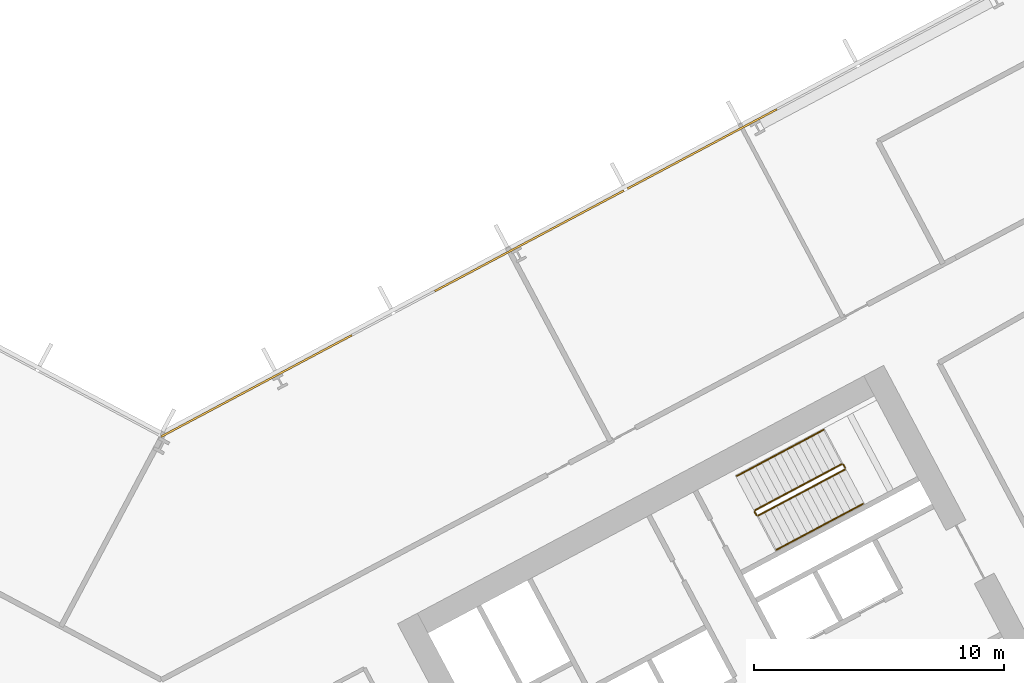
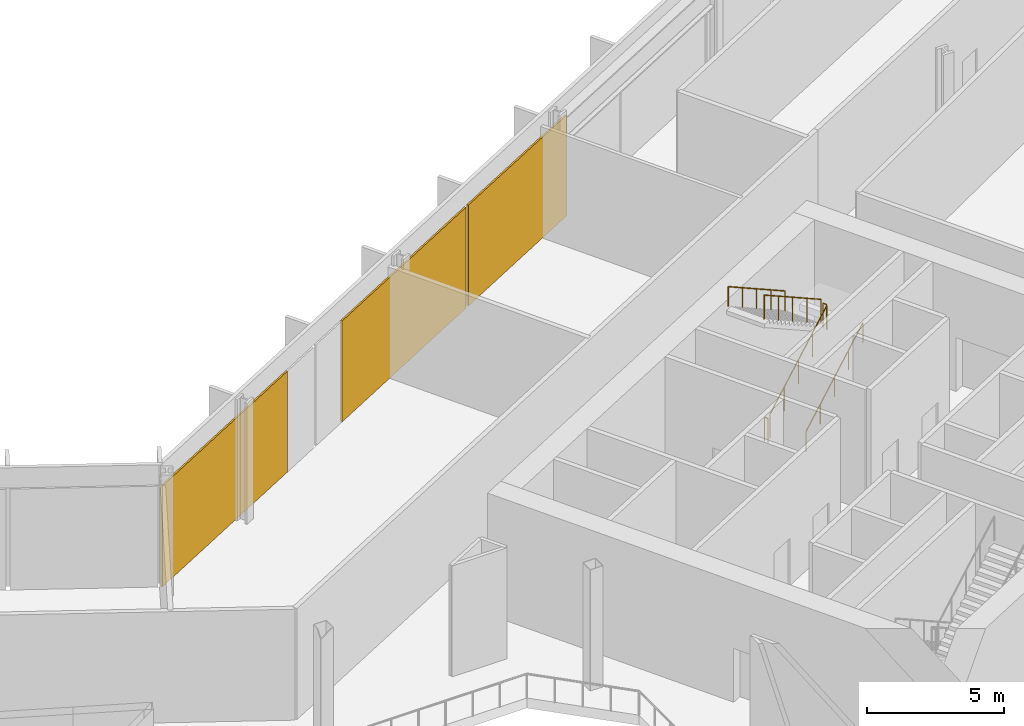
# One storey, part 28 of 31: 6 railings, 3 coverings, 1 element without a shape of its own.
"""IFC4 building model written with IfcOpenShell, lengths in metres."""

from ifc_helpers import new_model, si_unit, direction, frame, origin, origin_2d, place, context, subcontext, project, spatial, polyline, rectangle, outline, extrude, material, layer, layer_set, type_object, element, aggregate, save


model = new_model("IFC4")

# Units and contexts
model_context = context("Model", 3, precision=1e-05, world=origin(), true_north=direction((0.0, 1.0)))
body_context = subcontext(model_context, "Body", "Model", "MODEL_VIEW")
ifc_project = project(units=[si_unit("LENGTHUNIT", "METRE"), si_unit("AREAUNIT", "SQUARE_METRE"), si_unit("VOLUMEUNIT", "CUBIC_METRE"), si_unit("PLANEANGLEUNIT", "RADIAN"), si_unit("MASSUNIT", "GRAM", prefix="KILO")], contexts=[model_context])

# Site, building, storey
site_placement = place(None, origin())
site = spatial("IfcSite", under=ifc_project, at=site_placement, CompositionType="ELEMENT")
building_placement = place(site_placement, origin())
building = spatial("IfcBuilding", under=site, at=building_placement, Name="Cormorant Relay Tower", CompositionType="ELEMENT")
storey_placement = place(building_placement, frame((0.0, 0.0, 50.0)))
storey = spatial("IfcBuildingStorey", under=building, at=storey_placement, Name="L09", CompositionType="ELEMENT", Elevation=50.0)

# Curtain wall, coverings
ifc_material_1 = material(Name="Aluminium 6063-T6 anodised bronze", Category="aluminium")
ifc_layer_1 = layer(ifc_material_1, 0.235107421875)
ifc_layer_set_1 = layer_set([ifc_layer_1], Name="CW6 data hall curtain wall with mineral wool panels")
curtain_wall_type = type_object("IfcCurtainWallType", Name="CW6 data hall curtain wall with mineral wool panels", PredefinedType="NOTDEFINED", material=ifc_layer_set_1)
curtain_wall_placement = place(storey_placement, origin())
curtain_wall = element("IfcCurtainWall", 1, at=curtain_wall_placement, inside=storey, type_object=curtain_wall_type, Name="CW6 curtain wall 6", PredefinedType="NOTDEFINED")
ifc_material_2 = material(Name="Mineral wool cored anodised bronze aluminium cassette panel", Category="aluminium")
ifc_layer_2 = layer(ifc_material_2, 0.074951171875)
ifc_layer_set_2 = layer_set([ifc_layer_2], Name="CW6 mineral wool cassette panel 75")
covering_type = type_object("IfcCoveringType", Name="CW6 mineral wool cassette panel 75", PredefinedType="CLADDING", material=ifc_layer_set_2)
covering_1_placement = place(storey_placement, frame((21.604248046875, 35.313720703125, 0.0), z_axis=(0.0, 0.0, 1.0), x_axis=(-0.882947592859, -0.469471562786, 0.0)))
covering_1 = element("IfcCovering", 2, at=covering_1_placement, type_object=covering_type, Name="CW6 panel S05", PredefinedType="CLADDING", context=body_context, shape_type="SweptSolid", body=[
    extrude(rectangle(XDim=6.765380859375, YDim=0.074951171875, at=origin_2d()), origin(), (0.0, 0.0, 1.0), 4.5),
])
covering_2_placement = place(storey_placement, frame((14.70361328125, 31.64453125, 0.0), z_axis=(0.0, 0.0, 1.0), x_axis=(-0.882947592859, -0.469471562786, 0.0)))
covering_2 = element("IfcCovering", 3, at=covering_2_placement, type_object=covering_type, Name="CW6 panel S06", PredefinedType="CLADDING", context=body_context, shape_type="SweptSolid", body=[
    extrude(rectangle(XDim=8.565185546875, YDim=0.074951171875, at=origin_2d()), origin(), (0.0, 0.0, 1.0), 4.5),
])
covering_3_placement = place(storey_placement, frame((3.796875, 25.84521484375, 0.0), z_axis=(0.0, 0.0, 1.0), x_axis=(-0.882947592859, -0.469471562786, 0.0)))
covering_3 = element("IfcCovering", 4, at=covering_3_placement, type_object=covering_type, Name="CW6 panel S09", PredefinedType="CLADDING", context=body_context, shape_type="SweptSolid", body=[
    extrude(rectangle(XDim=8.640380859375, YDim=0.074951171875, at=origin_2d()), origin(), (0.0, 0.0, 1.0), 4.5),
])
aggregate(curtain_wall, [covering_1, covering_2, covering_3])

# Railings
ifc_material_3 = material(Name="Steel ASTM A572 Grade 50 (Fy 345 MPa)", Category="steel")
railing_type_1 = type_object("IfcRailingType", Name="Stair guard 1100", PredefinedType="GUARDRAIL", material=ifc_material_3)
railing_1_placement = place(storey_placement, frame((23.8408203125, 20.6611328125, 0.179931640625)))
element("IfcRailing", 5, at=railing_1_placement, inside=storey, type_object=railing_type_1, Name="L09 B2 stair guard 1", PredefinedType="GUARDRAIL", context=body_context, shape_type="SweptSolid", body=[
    extrude(outline(polyline([(0.022216796875, 0.00927734375), (0.00927734375, 0.022216796875), (-0.00927734375, 0.022216796875), (-0.022216796875, 0.00927734375), (-0.022216796875, -0.00927734375), (-0.00927734375, -0.022216796875), (0.00927734375, -0.022216796875), (0.022216796875, -0.00927734375), (0.022216796875, 0.00927734375)])), frame((0.0, 0.0, 1.076171875), z_axis=(0.74271721126, 0.394907409077, 0.540758062681), x_axis=(-0.469469396681, 0.882948744594, 0.0)), (0.0, 0.0, 1.0), 4.66015625),
    extrude(outline(polyline([(0.019287109375, 0.008056640625), (0.008056640625, 0.019287109375), (-0.008056640625, 0.019287109375), (-0.019287109375, 0.008056640625), (-0.019287109375, -0.008056640625), (-0.008056640625, -0.019287109375), (0.008056640625, -0.019287109375), (0.019287109375, -0.008056640625), (0.019287109375, 0.008056640625)])), origin(), (0.0, 0.0, 1.0), 1.052001953125),
    extrude(outline(polyline([(0.019287109375, 0.008056640625), (0.008056640625, 0.019287109375), (-0.008056640625, 0.019287109375), (-0.019287109375, 0.008056640625), (-0.019287109375, -0.008056640625), (-0.008056640625, -0.019287109375), (0.008056640625, -0.019287109375), (0.019287109375, -0.008056640625), (0.019287109375, 0.008056640625)])), frame((0.865234375, 0.4599609375, 0.6298828125)), (0.0, 0.0, 1.0), 1.052001953125),
    extrude(outline(polyline([(0.019287109375, 0.008056640625), (0.008056640625, 0.019287109375), (-0.008056640625, 0.019287109375), (-0.019287109375, 0.008056640625), (-0.019287109375, -0.008056640625), (-0.008056640625, -0.019287109375), (0.008056640625, -0.019287109375), (0.019287109375, -0.008056640625), (0.019287109375, 0.008056640625)])), frame((1.73046875, 0.920166015625, 1.260009765625)), (0.0, 0.0, 1.0), 1.052001953125),
    extrude(outline(polyline([(0.019287109375, 0.008056640625), (0.008056640625, 0.019287109375), (-0.008056640625, 0.019287109375), (-0.019287109375, 0.008056640625), (-0.019287109375, -0.008056640625), (-0.008056640625, -0.019287109375), (0.008056640625, -0.019287109375), (0.019287109375, -0.008056640625), (0.019287109375, 0.008056640625)])), frame((2.595947265625, 1.38037109375, 1.89013671875)), (0.0, 0.0, 1.0), 1.052001953125),
    extrude(outline(polyline([(0.019287109375, 0.008056640625), (0.008056640625, 0.019287109375), (-0.008056640625, 0.019287109375), (-0.019287109375, 0.008056640625), (-0.019287109375, -0.008056640625), (-0.008056640625, -0.019287109375), (0.008056640625, -0.019287109375), (0.019287109375, -0.008056640625), (0.019287109375, 0.008056640625)])), frame((3.461181640625, 1.84033203125, 2.52001953125)), (0.0, 0.0, 1.0), 1.052001953125),
])
railing_2_placement = place(storey_placement, frame((27.32275390625, 22.569091796875, 2.699951171875)))
element("IfcRailing", 6, at=railing_2_placement, inside=storey, type_object=railing_type_1, Name="L09 B2 stair guard 2", PredefinedType="GUARDRAIL", context=body_context, shape_type="SweptSolid", body=[
    extrude(outline(polyline([(0.022216796875, 0.00927734375), (0.00927734375, 0.022216796875), (-0.00927734375, 0.022216796875), (-0.022216796875, 0.00927734375), (-0.022216796875, -0.00927734375), (-0.00927734375, -0.022216796875), (0.00927734375, -0.022216796875), (0.022216796875, -0.00927734375), (0.022216796875, 0.00927734375)])), frame((0.0, 0.0, 1.076171875), z_axis=(-0.470503732759, 0.882398003998, 0.0), x_axis=(-0.882398003998, -0.470503732759, 0.0)), (0.0, 0.0, 1.0), 0.14990234375),
    extrude(outline(polyline([(0.019287109375, 0.008056640625), (0.008056640625, 0.019287109375), (-0.008056640625, 0.019287109375), (-0.019287109375, 0.008056640625), (-0.019287109375, -0.008056640625), (-0.008056640625, -0.019287109375), (0.008056640625, -0.019287109375), (0.019287109375, -0.008056640625), (0.019287109375, 0.008056640625)])), origin(), (0.0, 0.0, 1.0), 1.052001953125),
    extrude(outline(polyline([(0.019287109375, 0.008056640625), (0.008056640625, 0.019287109375), (-0.008056640625, 0.019287109375), (-0.019287109375, 0.008056640625), (-0.019287109375, -0.008056640625), (-0.008056640625, -0.019287109375), (0.008056640625, -0.019287109375), (0.019287109375, -0.008056640625), (0.019287109375, 0.008056640625)])), frame((-0.070556640625, 0.13232421875, 0.0)), (0.0, 0.0, 1.0), 1.052001953125),
])
railing_3_placement = place(storey_placement, frame((27.1845703125, 22.72216796875, 2.8798828125)))
element("IfcRailing", 7, at=railing_3_placement, inside=storey, type_object=railing_type_1, Name="L09 B2 stair guard 3", PredefinedType="GUARDRAIL", context=body_context, shape_type="SweptSolid", body=[
    extrude(outline(polyline([(0.022216796875, 0.00927734375), (0.00927734375, 0.022216796875), (-0.00927734375, 0.022216796875), (-0.022216796875, 0.00927734375), (-0.022216796875, -0.00927734375), (-0.00927734375, -0.022216796875), (0.00927734375, -0.022216796875), (0.022216796875, -0.00927734375), (0.022216796875, 0.00927734375)])), frame((0.0, 0.0, 1.076171875), z_axis=(-0.74271721126, -0.394907409077, 0.540758062681), x_axis=(0.469469396681, -0.882948744594, 0.0)), (0.0, 0.0, 1.0), 4.66015625),
    extrude(outline(polyline([(0.019287109375, 0.008056640625), (0.008056640625, 0.019287109375), (-0.008056640625, 0.019287109375), (-0.019287109375, 0.008056640625), (-0.019287109375, -0.008056640625), (-0.008056640625, -0.019287109375), (0.008056640625, -0.019287109375), (0.019287109375, -0.008056640625), (0.019287109375, 0.008056640625)])), origin(), (0.0, 0.0, 1.0), 1.052001953125),
    extrude(outline(polyline([(0.019287109375, 0.008056640625), (0.008056640625, 0.019287109375), (-0.008056640625, 0.019287109375), (-0.019287109375, 0.008056640625), (-0.019287109375, -0.008056640625), (-0.008056640625, -0.019287109375), (0.008056640625, -0.019287109375), (0.019287109375, -0.008056640625), (0.019287109375, 0.008056640625)])), frame((-0.865234375, -0.4599609375, 0.6298828125)), (0.0, 0.0, 1.0), 1.052001953125),
    extrude(outline(polyline([(0.019287109375, 0.008056640625), (0.008056640625, 0.019287109375), (-0.008056640625, 0.019287109375), (-0.019287109375, 0.008056640625), (-0.019287109375, -0.008056640625), (-0.008056640625, -0.019287109375), (0.008056640625, -0.019287109375), (0.019287109375, -0.008056640625), (0.019287109375, 0.008056640625)])), frame((-1.73046875, -0.920166015625, 1.260009765625)), (0.0, 0.0, 1.0), 1.052001953125),
    extrude(outline(polyline([(0.019287109375, 0.008056640625), (0.008056640625, 0.019287109375), (-0.008056640625, 0.019287109375), (-0.019287109375, 0.008056640625), (-0.019287109375, -0.008056640625), (-0.008056640625, -0.019287109375), (0.008056640625, -0.019287109375), (0.019287109375, -0.008056640625), (0.019287109375, 0.008056640625)])), frame((-2.595947265625, -1.38037109375, 1.89013671875)), (0.0, 0.0, 1.0), 1.052001953125),
    extrude(outline(polyline([(0.019287109375, 0.008056640625), (0.008056640625, 0.019287109375), (-0.008056640625, 0.019287109375), (-0.019287109375, 0.008056640625), (-0.019287109375, -0.008056640625), (-0.008056640625, -0.019287109375), (0.008056640625, -0.019287109375), (0.019287109375, -0.008056640625), (0.019287109375, 0.008056640625)])), frame((-3.461181640625, -1.84033203125, 2.52001953125)), (0.0, 0.0, 1.0), 1.052001953125),
])
railing_4_placement = place(storey_placement, frame((23.773193359375, 20.681640625, 0.0)))
element("IfcRailing", 8, at=railing_4_placement, inside=storey, type_object=railing_type_1, Name="L09 B2 stair guard 4", PredefinedType="GUARDRAIL", context=body_context, shape_type="SweptSolid", body=[
    extrude(outline(polyline([(0.022216796875, 0.00927734375), (0.00927734375, 0.022216796875), (-0.00927734375, 0.022216796875), (-0.022216796875, 0.00927734375), (-0.022216796875, -0.00927734375), (-0.00927734375, -0.022216796875), (0.00927734375, -0.022216796875), (0.022216796875, -0.00927734375), (0.022216796875, 0.00927734375)])), frame((0.0, 0.0, 1.076171875), z_axis=(-0.46856034887, 0.8834314911, 0.0), x_axis=(-0.8834314911, -0.46856034887, 0.0)), (0.0, 0.0, 1.0), 0.150146484375),
    extrude(outline(polyline([(0.019287109375, 0.008056640625), (0.008056640625, 0.019287109375), (-0.008056640625, 0.019287109375), (-0.019287109375, 0.008056640625), (-0.019287109375, -0.008056640625), (-0.008056640625, -0.019287109375), (0.008056640625, -0.019287109375), (0.019287109375, -0.008056640625), (0.019287109375, 0.008056640625)])), origin(), (0.0, 0.0, 1.0), 1.052001953125),
    extrude(outline(polyline([(0.019287109375, 0.008056640625), (0.008056640625, 0.019287109375), (-0.008056640625, 0.019287109375), (-0.019287109375, 0.008056640625), (-0.019287109375, -0.008056640625), (-0.008056640625, -0.019287109375), (0.008056640625, -0.019287109375), (0.019287109375, -0.008056640625), (0.019287109375, 0.008056640625)])), frame((-0.0703125, 0.132568359375, 0.0)), (0.0, 0.0, 1.0), 1.052001953125),
])
ifc_material_4 = material(Name="Steel ASTM A572 Grade 50 (Fy 345 MPa)", Category="steel")
railing_type_2 = type_object("IfcRailingType", Name="Stair handrail 900", PredefinedType="HANDRAIL", material=ifc_material_4)
railing_5_placement = place(storey_placement, frame((24.568603515625, 19.29248046875, 0.179931640625)))
element("IfcRailing", 9, at=railing_5_placement, inside=storey, type_object=railing_type_2, Name="L09 B2 stair handrail 1", PredefinedType="HANDRAIL", context=body_context, shape_type="SweptSolid", body=[
    extrude(outline(polyline([(0.022216796875, 0.00927734375), (0.00927734375, 0.022216796875), (-0.00927734375, 0.022216796875), (-0.022216796875, 0.00927734375), (-0.022216796875, -0.00927734375), (-0.00927734375, -0.022216796875), (0.00927734375, -0.022216796875), (0.022216796875, -0.00927734375), (0.022216796875, 0.00927734375)])), frame((0.0, 0.0, 0.8759765625), z_axis=(0.74271721126, 0.394907409077, 0.540758062681), x_axis=(-0.469469396681, 0.882948744594, 0.0)), (0.0, 0.0, 1.0), 4.66015625),
    extrude(outline(polyline([(0.019287109375, 0.008056640625), (0.008056640625, 0.019287109375), (-0.008056640625, 0.019287109375), (-0.019287109375, 0.008056640625), (-0.019287109375, -0.008056640625), (-0.008056640625, -0.019287109375), (0.008056640625, -0.019287109375), (0.019287109375, -0.008056640625), (0.019287109375, 0.008056640625)])), origin(), (0.0, 0.0, 1.0), 0.851806640625),
    extrude(outline(polyline([(0.019287109375, 0.008056640625), (0.008056640625, 0.019287109375), (-0.008056640625, 0.019287109375), (-0.019287109375, 0.008056640625), (-0.019287109375, -0.008056640625), (-0.008056640625, -0.019287109375), (0.008056640625, -0.019287109375), (0.019287109375, -0.008056640625), (0.019287109375, 0.008056640625)])), frame((0.865234375, 0.4599609375, 0.6298828125)), (0.0, 0.0, 1.0), 0.851806640625),
    extrude(outline(polyline([(0.019287109375, 0.008056640625), (0.008056640625, 0.019287109375), (-0.008056640625, 0.019287109375), (-0.019287109375, 0.008056640625), (-0.019287109375, -0.008056640625), (-0.008056640625, -0.019287109375), (0.008056640625, -0.019287109375), (0.019287109375, -0.008056640625), (0.019287109375, 0.008056640625)])), frame((1.73046875, 0.920166015625, 1.260009765625)), (0.0, 0.0, 1.0), 0.851806640625),
    extrude(outline(polyline([(0.019287109375, 0.008056640625), (0.008056640625, 0.019287109375), (-0.008056640625, 0.019287109375), (-0.019287109375, 0.008056640625), (-0.019287109375, -0.008056640625), (-0.008056640625, -0.019287109375), (0.008056640625, -0.019287109375), (0.019287109375, -0.008056640625), (0.019287109375, 0.008056640625)])), frame((2.595947265625, 1.38037109375, 1.89013671875)), (0.0, 0.0, 1.0), 0.851806640625),
    extrude(outline(polyline([(0.019287109375, 0.008056640625), (0.008056640625, 0.019287109375), (-0.008056640625, 0.019287109375), (-0.019287109375, 0.008056640625), (-0.019287109375, -0.008056640625), (-0.008056640625, -0.019287109375), (0.008056640625, -0.019287109375), (0.019287109375, -0.008056640625), (0.019287109375, 0.008056640625)])), frame((3.461181640625, 1.84033203125, 2.52001953125)), (0.0, 0.0, 1.0), 0.851806640625),
])
railing_6_placement = place(storey_placement, frame((26.45703125, 24.090576171875, 2.8798828125)))
element("IfcRailing", 10, at=railing_6_placement, inside=storey, type_object=railing_type_2, Name="L09 B2 stair handrail 2", PredefinedType="HANDRAIL", context=body_context, shape_type="SweptSolid", body=[
    extrude(outline(polyline([(0.022216796875, 0.00927734375), (0.00927734375, 0.022216796875), (-0.00927734375, 0.022216796875), (-0.022216796875, 0.00927734375), (-0.022216796875, -0.00927734375), (-0.00927734375, -0.022216796875), (0.00927734375, -0.022216796875), (0.022216796875, -0.00927734375), (0.022216796875, 0.00927734375)])), frame((0.0, 0.0, 0.8759765625), z_axis=(-0.74271721126, -0.394907409077, 0.540758062681), x_axis=(0.469469396681, -0.882948744594, 0.0)), (0.0, 0.0, 1.0), 4.66015625),
    extrude(outline(polyline([(0.019287109375, 0.008056640625), (0.008056640625, 0.019287109375), (-0.008056640625, 0.019287109375), (-0.019287109375, 0.008056640625), (-0.019287109375, -0.008056640625), (-0.008056640625, -0.019287109375), (0.008056640625, -0.019287109375), (0.019287109375, -0.008056640625), (0.019287109375, 0.008056640625)])), origin(), (0.0, 0.0, 1.0), 0.851806640625),
    extrude(outline(polyline([(0.019287109375, 0.008056640625), (0.008056640625, 0.019287109375), (-0.008056640625, 0.019287109375), (-0.019287109375, 0.008056640625), (-0.019287109375, -0.008056640625), (-0.008056640625, -0.019287109375), (0.008056640625, -0.019287109375), (0.019287109375, -0.008056640625), (0.019287109375, 0.008056640625)])), frame((-0.865234375, -0.4599609375, 0.6298828125)), (0.0, 0.0, 1.0), 0.851806640625),
    extrude(outline(polyline([(0.019287109375, 0.008056640625), (0.008056640625, 0.019287109375), (-0.008056640625, 0.019287109375), (-0.019287109375, 0.008056640625), (-0.019287109375, -0.008056640625), (-0.008056640625, -0.019287109375), (0.008056640625, -0.019287109375), (0.019287109375, -0.008056640625), (0.019287109375, 0.008056640625)])), frame((-1.73046875, -0.920166015625, 1.260009765625)), (0.0, 0.0, 1.0), 0.851806640625),
    extrude(outline(polyline([(0.019287109375, 0.008056640625), (0.008056640625, 0.019287109375), (-0.008056640625, 0.019287109375), (-0.019287109375, 0.008056640625), (-0.019287109375, -0.008056640625), (-0.008056640625, -0.019287109375), (0.008056640625, -0.019287109375), (0.019287109375, -0.008056640625), (0.019287109375, 0.008056640625)])), frame((-2.595947265625, -1.38037109375, 1.89013671875)), (0.0, 0.0, 1.0), 0.851806640625),
    extrude(outline(polyline([(0.019287109375, 0.008056640625), (0.008056640625, 0.019287109375), (-0.008056640625, 0.019287109375), (-0.019287109375, 0.008056640625), (-0.019287109375, -0.008056640625), (-0.008056640625, -0.019287109375), (0.008056640625, -0.019287109375), (0.019287109375, -0.008056640625), (0.019287109375, 0.008056640625)])), frame((-3.461181640625, -1.84033203125, 2.52001953125)), (0.0, 0.0, 1.0), 0.851806640625),
])

save(model, "model.ifc")
